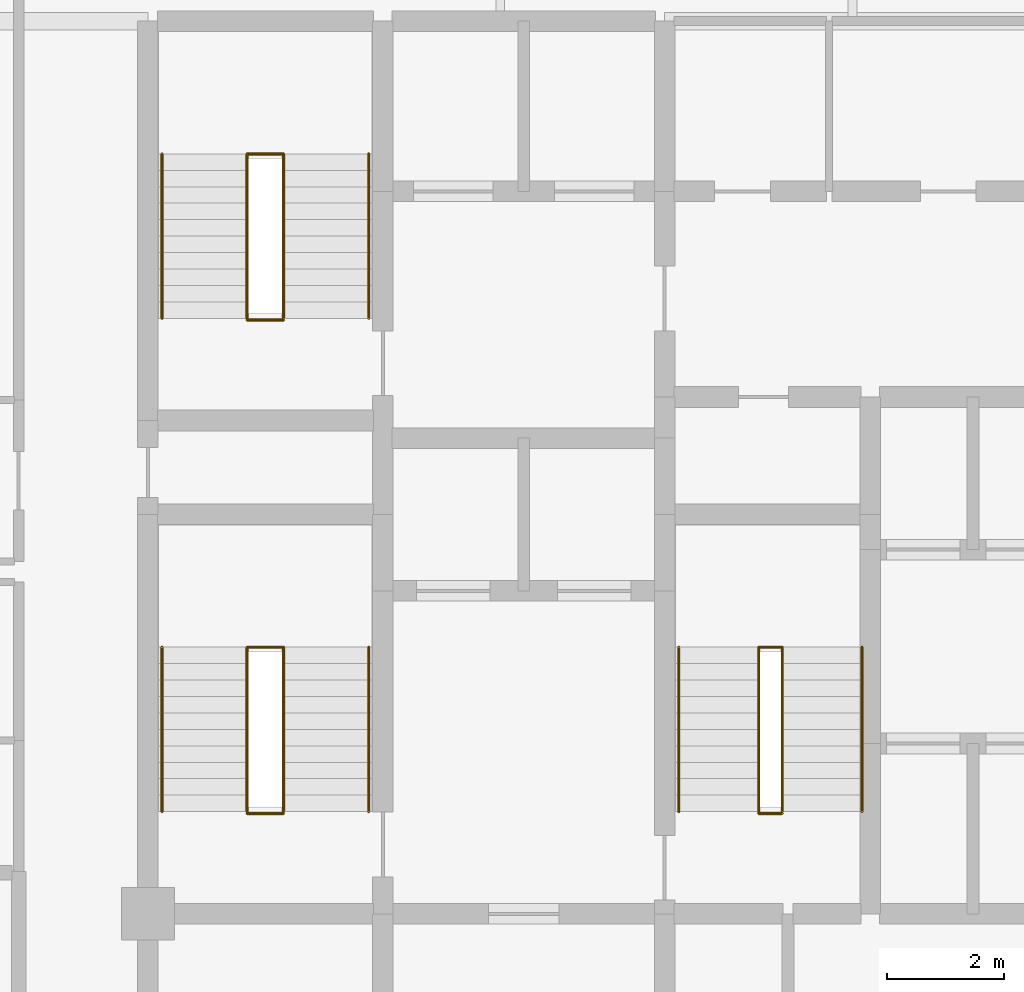
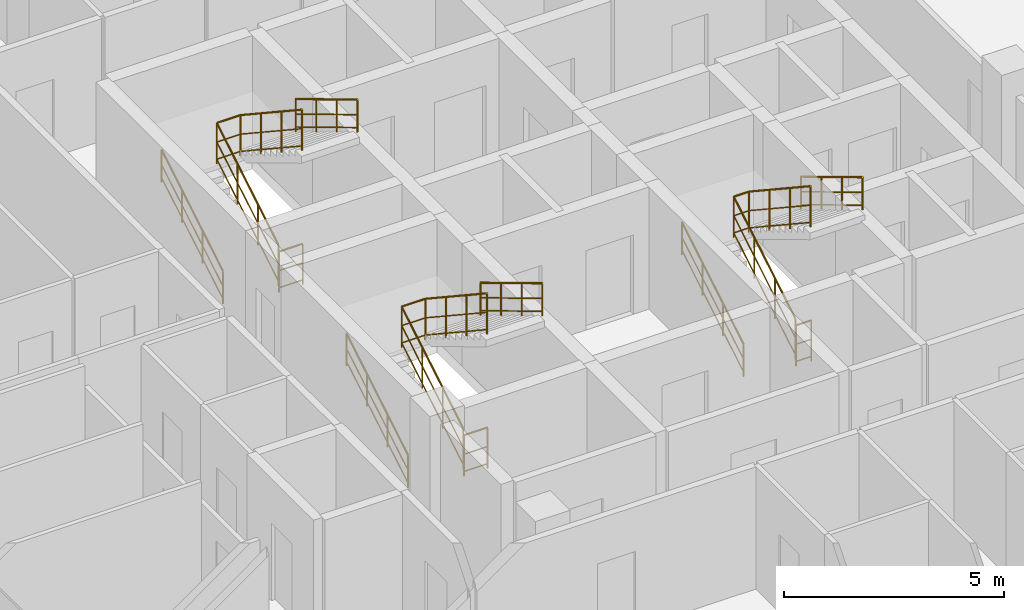
# One storey, part 29 of 29: 12 railings.
"""IFC4 building model written with IfcOpenShell, lengths in metres."""

from ifc_helpers import new_model, si_unit, direction, frame, origin, origin_2d, place, context, subcontext, project, spatial, circle, extrude, material, layer, layer_set, type_object, element, save


model = new_model("IFC4")

# Units and contexts
model_context = context("Model", 3, precision=1e-05, world=origin(), true_north=direction((0.0, 1.0)))
body_context = subcontext(model_context, "Body", "Model", "MODEL_VIEW")
ifc_project = project(units=[si_unit("LENGTHUNIT", "METRE"), si_unit("AREAUNIT", "SQUARE_METRE"), si_unit("VOLUMEUNIT", "CUBIC_METRE"), si_unit("PLANEANGLEUNIT", "RADIAN"), si_unit("MASSUNIT", "GRAM", prefix="KILO")], contexts=[model_context])

# Site, building, storey
site_placement = place(None, origin())
site = spatial("IfcSite", under=ifc_project, at=site_placement, CompositionType="ELEMENT")
building_placement = place(site_placement, origin())
building = spatial("IfcBuilding", under=site, at=building_placement, Name="Keshet Zoharim Tower", CompositionType="ELEMENT")
storey_placement = place(building_placement, frame((0.0, 0.0, 169.10009765625)))
storey = spatial("IfcBuildingStorey", under=building, at=storey_placement, Name="L41", CompositionType="ELEMENT", Elevation=169.10009765625)

# Railings
ifc_material = material(Name="Steel S355", Category="steel")
ifc_layer_1 = layer(ifc_material, 0.050048828125)
ifc_layer_set_1 = layer_set([ifc_layer_1], Name="Steel S355")
railing_type_1 = type_object("IfcRailingType", Name="RL-HND-092", PredefinedType="HANDRAIL", material=ifc_layer_set_1)
railing_1_placement = place(storey_placement, frame((15.239990234375, 24.43994140625, 0.168212890625)))
element("IfcRailing", 1, at=railing_1_placement, inside=storey, type_object=railing_type_1, Name="L41 ST-01 Flight 1 Wall Handrail", PredefinedType="HANDRAIL", context=body_context, shape_type="SweptSolid", body=[
    extrude(circle(Radius=0.02392578125, at=origin_2d()), frame((0.0, 0.0, 0.89599609375), z_axis=(0.0, 0.857275202839, 0.514858452973), x_axis=(-1.0, 0.0, 0.0)), (0.0, 0.0, 1.0), 3.26611328125),
    extrude(circle(Radius=0.01611328125, at=origin_2d()), frame((0.0, 0.0, 0.478271484375), z_axis=(0.0, 0.857275202839, 0.514858452973), x_axis=(-1.0, 0.0, 0.0)), (0.0, 0.0, 1.0), 3.26611328125),
    extrude(circle(Radius=0.01611328125, at=origin_2d()), frame((0.0, 0.0, 0.1201171875), z_axis=(0.0, 0.857275202839, 0.514858452973), x_axis=(-1.0, 0.0, 0.0)), (0.0, 0.0, 1.0), 3.26611328125),
    extrude(circle(Radius=0.02099609375, at=origin_2d()), origin(), (0.0, 0.0, 1.0), 0.871826171875),
    extrude(circle(Radius=0.02099609375, at=origin_2d()), frame((0.0, 0.933349609375, 0.560546875)), (0.0, 0.0, 1.0), 0.871826171875),
    extrude(circle(Radius=0.02099609375, at=origin_2d()), frame((0.0, 1.86669921875, 1.12109375)), (0.0, 0.0, 1.0), 0.871826171875),
    extrude(circle(Radius=0.02099609375, at=origin_2d()), frame((0.0, 2.800048828125, 1.681640625)), (0.0, 0.0, 1.0), 0.871826171875),
])
railing_2_placement = place(storey_placement, frame((18.760009765625, 27.239990234375, 2.01806640625)))
element("IfcRailing", 2, at=railing_2_placement, inside=storey, type_object=railing_type_1, Name="L41 ST-01 Flight 2 Wall Handrail", PredefinedType="HANDRAIL", context=body_context, shape_type="SweptSolid", body=[
    extrude(circle(Radius=0.02392578125, at=origin_2d()), frame((0.0, 0.0, 0.89599609375), z_axis=(0.0, -0.857242210791, 0.514913383045), x_axis=(1.0, 0.0, 0.0)), (0.0, 0.0, 1.0), 3.266357421875),
    extrude(circle(Radius=0.01611328125, at=origin_2d()), frame((0.0, 0.0, 0.478271484375), z_axis=(0.0, -0.857242210791, 0.514913383045), x_axis=(1.0, 0.0, 0.0)), (0.0, 0.0, 1.0), 3.266357421875),
    extrude(circle(Radius=0.01611328125, at=origin_2d()), frame((0.0, 0.0, 0.1201171875), z_axis=(0.0, -0.857242210791, 0.514913383045), x_axis=(1.0, 0.0, 0.0)), (0.0, 0.0, 1.0), 3.266357421875),
    extrude(circle(Radius=0.02099609375, at=origin_2d()), origin(), (0.0, 0.0, 1.0), 0.871826171875),
    extrude(circle(Radius=0.02099609375, at=origin_2d()), frame((0.0, -0.933349609375, 0.560546875)), (0.0, 0.0, 1.0), 0.871826171875),
    extrude(circle(Radius=0.02099609375, at=origin_2d()), frame((0.0, -1.86669921875, 1.121337890625)), (0.0, 0.0, 1.0), 0.871826171875),
    extrude(circle(Radius=0.02099609375, at=origin_2d()), frame((0.0, -2.800048828125, 1.681884765625)), (0.0, 0.0, 1.0), 0.871826171875),
])
railing_3_placement = place(storey_placement, frame((15.239990234375, 32.840087890625, 0.168212890625)))
element("IfcRailing", 3, at=railing_3_placement, inside=storey, type_object=railing_type_1, Name="L41 ST-02 Flight 1 Wall Handrail", PredefinedType="HANDRAIL", context=body_context, shape_type="SweptSolid", body=[
    extrude(circle(Radius=0.02392578125, at=origin_2d()), frame((0.0, 0.0, 0.89599609375), z_axis=(0.0, 0.857255387014, 0.514891446264), x_axis=(-1.0, 0.0, 0.0)), (0.0, 0.0, 1.0), 3.26611328125),
    extrude(circle(Radius=0.01611328125, at=origin_2d()), frame((0.0, 0.0, 0.478271484375), z_axis=(0.0, 0.857255387014, 0.514891446264), x_axis=(-1.0, 0.0, 0.0)), (0.0, 0.0, 1.0), 3.26611328125),
    extrude(circle(Radius=0.01611328125, at=origin_2d()), frame((0.0, 0.0, 0.1201171875), z_axis=(0.0, 0.857255387014, 0.514891446264), x_axis=(-1.0, 0.0, 0.0)), (0.0, 0.0, 1.0), 3.26611328125),
    extrude(circle(Radius=0.02099609375, at=origin_2d()), origin(), (0.0, 0.0, 1.0), 0.871826171875),
    extrude(circle(Radius=0.02099609375, at=origin_2d()), frame((0.0, 0.933349609375, 0.560546875)), (0.0, 0.0, 1.0), 0.871826171875),
    extrude(circle(Radius=0.02099609375, at=origin_2d()), frame((0.0, 1.866455078125, 1.12109375)), (0.0, 0.0, 1.0), 0.871826171875),
    extrude(circle(Radius=0.02099609375, at=origin_2d()), frame((0.0, 2.7998046875, 1.681640625)), (0.0, 0.0, 1.0), 0.871826171875),
])
railing_4_placement = place(storey_placement, frame((18.760009765625, 35.639892578125, 2.01806640625)))
element("IfcRailing", 4, at=railing_4_placement, inside=storey, type_object=railing_type_1, Name="L41 ST-02 Flight 2 Wall Handrail", PredefinedType="HANDRAIL", context=body_context, shape_type="SweptSolid", body=[
    extrude(circle(Radius=0.02392578125, at=origin_2d()), frame((0.0, 0.0, 0.89599609375), z_axis=(0.0, -0.857222391501, 0.514946377315), x_axis=(1.0, 0.0, 0.0)), (0.0, 0.0, 1.0), 3.26611328125),
    extrude(circle(Radius=0.01611328125, at=origin_2d()), frame((0.0, 0.0, 0.478271484375), z_axis=(0.0, -0.857222391501, 0.514946377315), x_axis=(1.0, 0.0, 0.0)), (0.0, 0.0, 1.0), 3.26611328125),
    extrude(circle(Radius=0.01611328125, at=origin_2d()), frame((0.0, 0.0, 0.1201171875), z_axis=(0.0, -0.857222391501, 0.514946377315), x_axis=(1.0, 0.0, 0.0)), (0.0, 0.0, 1.0), 3.26611328125),
    extrude(circle(Radius=0.02099609375, at=origin_2d()), origin(), (0.0, 0.0, 1.0), 0.871826171875),
    extrude(circle(Radius=0.02099609375, at=origin_2d()), frame((0.0, -0.933349609375, 0.560546875)), (0.0, 0.0, 1.0), 0.871826171875),
    extrude(circle(Radius=0.02099609375, at=origin_2d()), frame((0.0, -1.866455078125, 1.121337890625)), (0.0, 0.0, 1.0), 0.871826171875),
    extrude(circle(Radius=0.02099609375, at=origin_2d()), frame((0.0, -2.7998046875, 1.681884765625)), (0.0, 0.0, 1.0), 0.871826171875),
])
railing_5_placement = place(storey_placement, frame((24.0400390625, 24.43994140625, 0.168212890625)))
element("IfcRailing", 5, at=railing_5_placement, inside=storey, type_object=railing_type_1, Name="L41 ST-03 Flight 1 Wall Handrail", PredefinedType="HANDRAIL", context=body_context, shape_type="SweptSolid", body=[
    extrude(circle(Radius=0.02392578125, at=origin_2d()), frame((0.0, 0.0, 0.89599609375), z_axis=(0.0, 0.857275202839, 0.514858452973), x_axis=(-1.0, 0.0, 0.0)), (0.0, 0.0, 1.0), 3.26611328125),
    extrude(circle(Radius=0.01611328125, at=origin_2d()), frame((0.0, 0.0, 0.478271484375), z_axis=(0.0, 0.857275202839, 0.514858452973), x_axis=(-1.0, 0.0, 0.0)), (0.0, 0.0, 1.0), 3.26611328125),
    extrude(circle(Radius=0.01611328125, at=origin_2d()), frame((0.0, 0.0, 0.1201171875), z_axis=(0.0, 0.857275202839, 0.514858452973), x_axis=(-1.0, 0.0, 0.0)), (0.0, 0.0, 1.0), 3.26611328125),
    extrude(circle(Radius=0.02099609375, at=origin_2d()), origin(), (0.0, 0.0, 1.0), 0.871826171875),
    extrude(circle(Radius=0.02099609375, at=origin_2d()), frame((0.0, 0.933349609375, 0.560546875)), (0.0, 0.0, 1.0), 0.871826171875),
    extrude(circle(Radius=0.02099609375, at=origin_2d()), frame((0.0, 1.86669921875, 1.12109375)), (0.0, 0.0, 1.0), 0.871826171875),
    extrude(circle(Radius=0.02099609375, at=origin_2d()), frame((0.0, 2.800048828125, 1.681640625)), (0.0, 0.0, 1.0), 0.871826171875),
])
railing_6_placement = place(storey_placement, frame((27.159912109375, 27.239990234375, 2.01806640625)))
element("IfcRailing", 6, at=railing_6_placement, inside=storey, type_object=railing_type_1, Name="L41 ST-03 Flight 2 Wall Handrail", PredefinedType="HANDRAIL", context=body_context, shape_type="SweptSolid", body=[
    extrude(circle(Radius=0.02392578125, at=origin_2d()), frame((0.0, 0.0, 0.89599609375), z_axis=(0.0, -0.857242210791, 0.514913383045), x_axis=(1.0, 0.0, 0.0)), (0.0, 0.0, 1.0), 3.266357421875),
    extrude(circle(Radius=0.01611328125, at=origin_2d()), frame((0.0, 0.0, 0.478271484375), z_axis=(0.0, -0.857242210791, 0.514913383045), x_axis=(1.0, 0.0, 0.0)), (0.0, 0.0, 1.0), 3.266357421875),
    extrude(circle(Radius=0.01611328125, at=origin_2d()), frame((0.0, 0.0, 0.1201171875), z_axis=(0.0, -0.857242210791, 0.514913383045), x_axis=(1.0, 0.0, 0.0)), (0.0, 0.0, 1.0), 3.266357421875),
    extrude(circle(Radius=0.02099609375, at=origin_2d()), origin(), (0.0, 0.0, 1.0), 0.871826171875),
    extrude(circle(Radius=0.02099609375, at=origin_2d()), frame((0.0, -0.933349609375, 0.560546875)), (0.0, 0.0, 1.0), 0.871826171875),
    extrude(circle(Radius=0.02099609375, at=origin_2d()), frame((0.0, -1.86669921875, 1.121337890625)), (0.0, 0.0, 1.0), 0.871826171875),
    extrude(circle(Radius=0.02099609375, at=origin_2d()), frame((0.0, -2.800048828125, 1.681884765625)), (0.0, 0.0, 1.0), 0.871826171875),
])
ifc_layer_2 = layer(ifc_material, 0.06005859375)
ifc_layer_set_2 = layer_set([ifc_layer_2], Name="Steel S355")
railing_type_2 = type_object("IfcRailingType", Name="RL-STG-115", PredefinedType="GUARDRAIL", material=ifc_layer_set_2)
railing_7_placement = place(storey_placement, frame((16.68994140625, 24.43994140625, 0.168212890625)))
element("IfcRailing", 7, at=railing_7_placement, inside=storey, type_object=railing_type_2, Name="L41 ST-01 Inner Well Guardrail", PredefinedType="GUARDRAIL", context=body_context, shape_type="SweptSolid", body=[
    extrude(circle(Radius=0.02392578125, at=origin_2d()), frame((0.0, 0.0, 1.1259765625), z_axis=(0.0, 0.857275202839, 0.514858452973), x_axis=(-1.0, 0.0, 0.0)), (0.0, 0.0, 1.0), 3.26611328125),
    extrude(circle(Radius=0.01611328125, at=origin_2d()), frame((0.0, 0.0, 0.597900390625), z_axis=(0.0, 0.857275202839, 0.514858452973), x_axis=(-1.0, 0.0, 0.0)), (0.0, 0.0, 1.0), 3.26611328125),
    extrude(circle(Radius=0.01611328125, at=origin_2d()), frame((0.0, 0.0, 0.1201171875), z_axis=(0.0, 0.857275202839, 0.514858452973), x_axis=(-1.0, 0.0, 0.0)), (0.0, 0.0, 1.0), 3.26611328125),
    extrude(circle(Radius=0.02392578125, at=origin_2d()), frame((0.0, 2.800048828125, 2.8076171875), z_axis=(1.0, 0.0, 0.0), x_axis=(0.0, 1.0, 0.0)), (0.0, 0.0, 1.0), 0.6201171875),
    extrude(circle(Radius=0.01611328125, at=origin_2d()), frame((0.0, 2.800048828125, 2.279541015625), z_axis=(1.0, 0.0, 0.0), x_axis=(0.0, 1.0, 0.0)), (0.0, 0.0, 1.0), 0.6201171875),
    extrude(circle(Radius=0.01611328125, at=origin_2d()), frame((0.0, 2.800048828125, 1.8017578125), z_axis=(1.0, 0.0, 0.0), x_axis=(0.0, 1.0, 0.0)), (0.0, 0.0, 1.0), 0.6201171875),
    extrude(circle(Radius=0.02392578125, at=origin_2d()), frame((0.6201171875, 2.800048828125, 2.8076171875), z_axis=(0.0, -0.834326358476, 0.551270829586), x_axis=(1.0, 0.0, 0.0)), (0.0, 0.0, 1.0), 3.35595703125),
    extrude(circle(Radius=0.01611328125, at=origin_2d()), frame((0.6201171875, 2.800048828125, 2.279541015625), z_axis=(0.0, -0.834326358476, 0.551270829586), x_axis=(1.0, 0.0, 0.0)), (0.0, 0.0, 1.0), 3.35595703125),
    extrude(circle(Radius=0.01611328125, at=origin_2d()), frame((0.6201171875, 2.800048828125, 1.8017578125), z_axis=(0.0, -0.834326358476, 0.551270829586), x_axis=(1.0, 0.0, 0.0)), (0.0, 0.0, 1.0), 3.35595703125),
    extrude(circle(Radius=0.02099609375, at=origin_2d()), origin(), (0.0, 0.0, 1.0), 1.101806640625),
    extrude(circle(Radius=0.02099609375, at=origin_2d()), frame((0.0, 0.933349609375, 0.560546875)), (0.0, 0.0, 1.0), 1.101806640625),
    extrude(circle(Radius=0.02099609375, at=origin_2d()), frame((0.0, 1.86669921875, 1.12109375)), (0.0, 0.0, 1.0), 1.101806640625),
    extrude(circle(Radius=0.02099609375, at=origin_2d()), frame((0.0, 2.800048828125, 1.681640625)), (0.0, 0.0, 1.0), 1.101806640625),
    extrude(circle(Radius=0.02099609375, at=origin_2d()), frame((0.6201171875, 2.800048828125, 1.681640625)), (0.0, 0.0, 1.0), 1.101806640625),
    extrude(circle(Radius=0.02099609375, at=origin_2d()), frame((0.6201171875, 1.86669921875, 2.29833984375)), (0.0, 0.0, 1.0), 1.101806640625),
    extrude(circle(Radius=0.02099609375, at=origin_2d()), frame((0.6201171875, 0.933349609375, 2.9150390625)), (0.0, 0.0, 1.0), 1.101806640625),
    extrude(circle(Radius=0.02099609375, at=origin_2d()), frame((0.6201171875, 0.0, 3.53173828125)), (0.0, 0.0, 1.0), 1.101806640625),
])
railing_8_placement = place(storey_placement, frame((16.68994140625, 24.409912109375, 0.0)))
element("IfcRailing", 8, at=railing_8_placement, inside=storey, type_object=railing_type_2, Name="L41 ST-01 Stairwell Floor Guardrail", PredefinedType="GUARDRAIL", context=body_context, shape_type="SweptSolid", body=[
    extrude(circle(Radius=0.02392578125, at=origin_2d()), frame((0.0, 0.0, 1.1259765625), z_axis=(1.0, 0.0, 0.0), x_axis=(0.0, 1.0, 0.0)), (0.0, 0.0, 1.0), 0.6201171875),
    extrude(circle(Radius=0.01611328125, at=origin_2d()), frame((0.0, 0.0, 0.597900390625), z_axis=(1.0, 0.0, 0.0), x_axis=(0.0, 1.0, 0.0)), (0.0, 0.0, 1.0), 0.6201171875),
    extrude(circle(Radius=0.01611328125, at=origin_2d()), frame((0.0, 0.0, 0.1201171875), z_axis=(1.0, 0.0, 0.0), x_axis=(0.0, 1.0, 0.0)), (0.0, 0.0, 1.0), 0.6201171875),
    extrude(circle(Radius=0.02099609375, at=origin_2d()), origin(), (0.0, 0.0, 1.0), 1.101806640625),
    extrude(circle(Radius=0.02099609375, at=origin_2d()), frame((0.6201171875, 0.0, 0.0)), (0.0, 0.0, 1.0), 1.101806640625),
])
railing_9_placement = place(storey_placement, frame((16.68994140625, 32.840087890625, 0.168212890625)))
element("IfcRailing", 9, at=railing_9_placement, inside=storey, type_object=railing_type_2, Name="L41 ST-02 Inner Well Guardrail", PredefinedType="GUARDRAIL", context=body_context, shape_type="SweptSolid", body=[
    extrude(circle(Radius=0.02392578125, at=origin_2d()), frame((0.0, 0.0, 1.1259765625), z_axis=(0.0, 0.857255387014, 0.514891446264), x_axis=(-1.0, 0.0, 0.0)), (0.0, 0.0, 1.0), 3.26611328125),
    extrude(circle(Radius=0.01611328125, at=origin_2d()), frame((0.0, 0.0, 0.597900390625), z_axis=(0.0, 0.857255387014, 0.514891446264), x_axis=(-1.0, 0.0, 0.0)), (0.0, 0.0, 1.0), 3.26611328125),
    extrude(circle(Radius=0.01611328125, at=origin_2d()), frame((0.0, 0.0, 0.1201171875), z_axis=(0.0, 0.857255387014, 0.514891446264), x_axis=(-1.0, 0.0, 0.0)), (0.0, 0.0, 1.0), 3.26611328125),
    extrude(circle(Radius=0.02392578125, at=origin_2d()), frame((0.0, 2.7998046875, 2.8076171875), z_axis=(1.0, 0.0, 0.0), x_axis=(0.0, 1.0, 0.0)), (0.0, 0.0, 1.0), 0.6201171875),
    extrude(circle(Radius=0.01611328125, at=origin_2d()), frame((0.0, 2.7998046875, 2.279541015625), z_axis=(1.0, 0.0, 0.0), x_axis=(0.0, 1.0, 0.0)), (0.0, 0.0, 1.0), 0.6201171875),
    extrude(circle(Radius=0.01611328125, at=origin_2d()), frame((0.0, 2.7998046875, 1.8017578125), z_axis=(1.0, 0.0, 0.0), x_axis=(0.0, 1.0, 0.0)), (0.0, 0.0, 1.0), 0.6201171875),
    extrude(circle(Radius=0.02392578125, at=origin_2d()), frame((0.6201171875, 2.7998046875, 2.8076171875), z_axis=(0.0, -0.834304248922, 0.551304290053), x_axis=(1.0, 0.0, 0.0)), (0.0, 0.0, 1.0), 3.35595703125),
    extrude(circle(Radius=0.01611328125, at=origin_2d()), frame((0.6201171875, 2.7998046875, 2.279541015625), z_axis=(0.0, -0.834304248922, 0.551304290053), x_axis=(1.0, 0.0, 0.0)), (0.0, 0.0, 1.0), 3.35595703125),
    extrude(circle(Radius=0.01611328125, at=origin_2d()), frame((0.6201171875, 2.7998046875, 1.8017578125), z_axis=(0.0, -0.834304248922, 0.551304290053), x_axis=(1.0, 0.0, 0.0)), (0.0, 0.0, 1.0), 3.35595703125),
    extrude(circle(Radius=0.02099609375, at=origin_2d()), origin(), (0.0, 0.0, 1.0), 1.101806640625),
    extrude(circle(Radius=0.02099609375, at=origin_2d()), frame((0.0, 0.933349609375, 0.560546875)), (0.0, 0.0, 1.0), 1.101806640625),
    extrude(circle(Radius=0.02099609375, at=origin_2d()), frame((0.0, 1.866455078125, 1.12109375)), (0.0, 0.0, 1.0), 1.101806640625),
    extrude(circle(Radius=0.02099609375, at=origin_2d()), frame((0.0, 2.7998046875, 1.681640625)), (0.0, 0.0, 1.0), 1.101806640625),
    extrude(circle(Radius=0.02099609375, at=origin_2d()), frame((0.6201171875, 2.7998046875, 1.681640625)), (0.0, 0.0, 1.0), 1.101806640625),
    extrude(circle(Radius=0.02099609375, at=origin_2d()), frame((0.6201171875, 1.866455078125, 2.29833984375)), (0.0, 0.0, 1.0), 1.101806640625),
    extrude(circle(Radius=0.02099609375, at=origin_2d()), frame((0.6201171875, 0.933349609375, 2.9150390625)), (0.0, 0.0, 1.0), 1.101806640625),
    extrude(circle(Radius=0.02099609375, at=origin_2d()), frame((0.6201171875, 0.0, 3.53173828125)), (0.0, 0.0, 1.0), 1.101806640625),
])
railing_10_placement = place(storey_placement, frame((16.68994140625, 32.81005859375, 0.0)))
element("IfcRailing", 10, at=railing_10_placement, inside=storey, type_object=railing_type_2, Name="L41 ST-02 Stairwell Floor Guardrail", PredefinedType="GUARDRAIL", context=body_context, shape_type="SweptSolid", body=[
    extrude(circle(Radius=0.02392578125, at=origin_2d()), frame((0.0, 0.0, 1.1259765625), z_axis=(1.0, 0.0, 0.0), x_axis=(0.0, 1.0, 0.0)), (0.0, 0.0, 1.0), 0.6201171875),
    extrude(circle(Radius=0.01611328125, at=origin_2d()), frame((0.0, 0.0, 0.597900390625), z_axis=(1.0, 0.0, 0.0), x_axis=(0.0, 1.0, 0.0)), (0.0, 0.0, 1.0), 0.6201171875),
    extrude(circle(Radius=0.01611328125, at=origin_2d()), frame((0.0, 0.0, 0.1201171875), z_axis=(1.0, 0.0, 0.0), x_axis=(0.0, 1.0, 0.0)), (0.0, 0.0, 1.0), 0.6201171875),
    extrude(circle(Radius=0.02099609375, at=origin_2d()), origin(), (0.0, 0.0, 1.0), 1.101806640625),
    extrude(circle(Radius=0.02099609375, at=origin_2d()), frame((0.6201171875, 0.0, 0.0)), (0.0, 0.0, 1.0), 1.101806640625),
])
railing_11_placement = place(storey_placement, frame((25.39990234375, 24.43994140625, 0.168212890625)))
element("IfcRailing", 11, at=railing_11_placement, inside=storey, type_object=railing_type_2, Name="L41 ST-03 Inner Well Guardrail", PredefinedType="GUARDRAIL", context=body_context, shape_type="SweptSolid", body=[
    extrude(circle(Radius=0.02392578125, at=origin_2d()), frame((0.0, 0.0, 1.1259765625), z_axis=(0.0, 0.857275202839, 0.514858452973), x_axis=(-1.0, 0.0, 0.0)), (0.0, 0.0, 1.0), 3.26611328125),
    extrude(circle(Radius=0.01611328125, at=origin_2d()), frame((0.0, 0.0, 0.597900390625), z_axis=(0.0, 0.857275202839, 0.514858452973), x_axis=(-1.0, 0.0, 0.0)), (0.0, 0.0, 1.0), 3.26611328125),
    extrude(circle(Radius=0.01611328125, at=origin_2d()), frame((0.0, 0.0, 0.1201171875), z_axis=(0.0, 0.857275202839, 0.514858452973), x_axis=(-1.0, 0.0, 0.0)), (0.0, 0.0, 1.0), 3.26611328125),
    extrude(circle(Radius=0.02392578125, at=origin_2d()), frame((0.0, 2.800048828125, 2.8076171875), z_axis=(1.0, 0.0, 0.0), x_axis=(0.0, 1.0, 0.0)), (0.0, 0.0, 1.0), 0.400146484375),
    extrude(circle(Radius=0.01611328125, at=origin_2d()), frame((0.0, 2.800048828125, 2.279541015625), z_axis=(1.0, 0.0, 0.0), x_axis=(0.0, 1.0, 0.0)), (0.0, 0.0, 1.0), 0.400146484375),
    extrude(circle(Radius=0.01611328125, at=origin_2d()), frame((0.0, 2.800048828125, 1.8017578125), z_axis=(1.0, 0.0, 0.0), x_axis=(0.0, 1.0, 0.0)), (0.0, 0.0, 1.0), 0.400146484375),
    extrude(circle(Radius=0.02392578125, at=origin_2d()), frame((0.400146484375, 2.800048828125, 2.8076171875), z_axis=(0.0, -0.834326358476, 0.551270829586), x_axis=(1.0, 0.0, 0.0)), (0.0, 0.0, 1.0), 3.35595703125),
    extrude(circle(Radius=0.01611328125, at=origin_2d()), frame((0.400146484375, 2.800048828125, 2.279541015625), z_axis=(0.0, -0.834326358476, 0.551270829586), x_axis=(1.0, 0.0, 0.0)), (0.0, 0.0, 1.0), 3.35595703125),
    extrude(circle(Radius=0.01611328125, at=origin_2d()), frame((0.400146484375, 2.800048828125, 1.8017578125), z_axis=(0.0, -0.834326358476, 0.551270829586), x_axis=(1.0, 0.0, 0.0)), (0.0, 0.0, 1.0), 3.35595703125),
    extrude(circle(Radius=0.02099609375, at=origin_2d()), origin(), (0.0, 0.0, 1.0), 1.101806640625),
    extrude(circle(Radius=0.02099609375, at=origin_2d()), frame((0.0, 0.933349609375, 0.560546875)), (0.0, 0.0, 1.0), 1.101806640625),
    extrude(circle(Radius=0.02099609375, at=origin_2d()), frame((0.0, 1.86669921875, 1.12109375)), (0.0, 0.0, 1.0), 1.101806640625),
    extrude(circle(Radius=0.02099609375, at=origin_2d()), frame((0.0, 2.800048828125, 1.681640625)), (0.0, 0.0, 1.0), 1.101806640625),
    extrude(circle(Radius=0.02099609375, at=origin_2d()), frame((0.400146484375, 2.800048828125, 1.681640625)), (0.0, 0.0, 1.0), 1.101806640625),
    extrude(circle(Radius=0.02099609375, at=origin_2d()), frame((0.400146484375, 1.86669921875, 2.29833984375)), (0.0, 0.0, 1.0), 1.101806640625),
    extrude(circle(Radius=0.02099609375, at=origin_2d()), frame((0.400146484375, 0.933349609375, 2.9150390625)), (0.0, 0.0, 1.0), 1.101806640625),
    extrude(circle(Radius=0.02099609375, at=origin_2d()), frame((0.400146484375, 0.0, 3.53173828125)), (0.0, 0.0, 1.0), 1.101806640625),
])
railing_12_placement = place(storey_placement, frame((25.39990234375, 24.409912109375, 0.0)))
element("IfcRailing", 12, at=railing_12_placement, inside=storey, type_object=railing_type_2, Name="L41 ST-03 Stairwell Floor Guardrail", PredefinedType="GUARDRAIL", context=body_context, shape_type="SweptSolid", body=[
    extrude(circle(Radius=0.02392578125, at=origin_2d()), frame((0.0, 0.0, 1.1259765625), z_axis=(1.0, 0.0, 0.0), x_axis=(0.0, 1.0, 0.0)), (0.0, 0.0, 1.0), 0.400146484375),
    extrude(circle(Radius=0.01611328125, at=origin_2d()), frame((0.0, 0.0, 0.597900390625), z_axis=(1.0, 0.0, 0.0), x_axis=(0.0, 1.0, 0.0)), (0.0, 0.0, 1.0), 0.400146484375),
    extrude(circle(Radius=0.01611328125, at=origin_2d()), frame((0.0, 0.0, 0.1201171875), z_axis=(1.0, 0.0, 0.0), x_axis=(0.0, 1.0, 0.0)), (0.0, 0.0, 1.0), 0.400146484375),
    extrude(circle(Radius=0.02099609375, at=origin_2d()), origin(), (0.0, 0.0, 1.0), 1.101806640625),
    extrude(circle(Radius=0.02099609375, at=origin_2d()), frame((0.400146484375, 0.0, 0.0)), (0.0, 0.0, 1.0), 1.101806640625),
])

save(model, "model.ifc")
